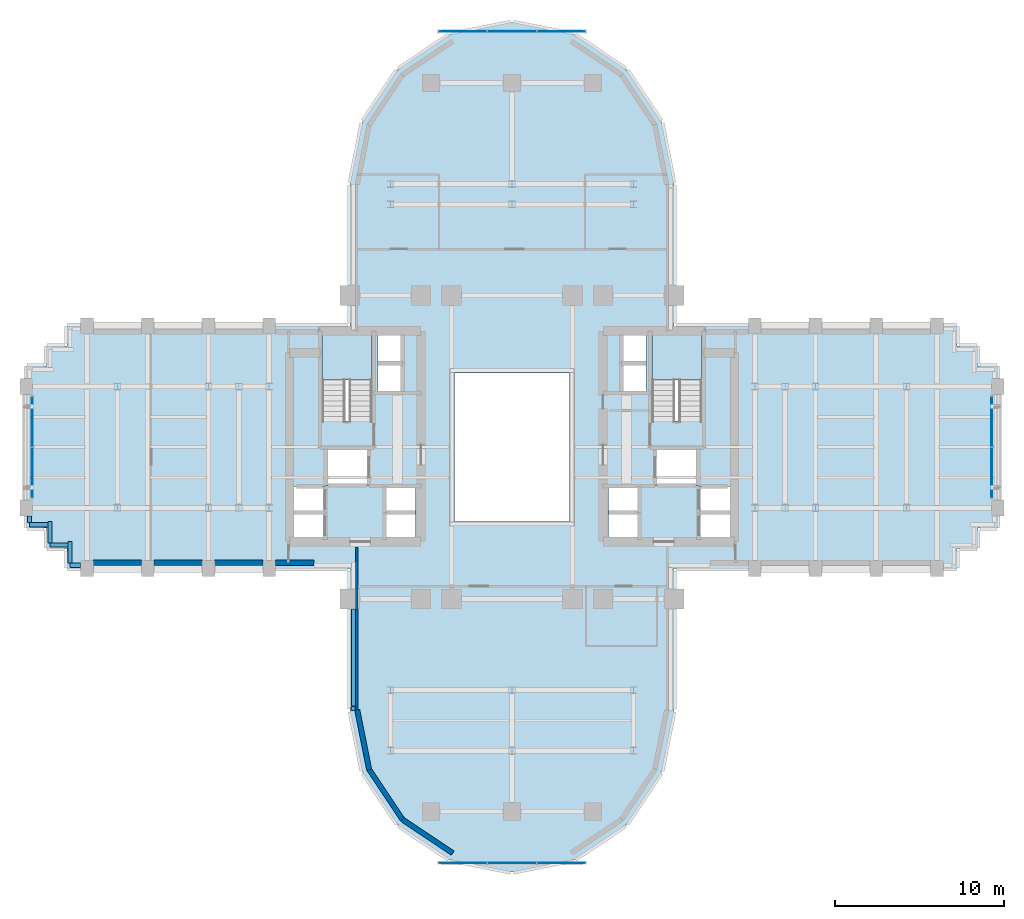
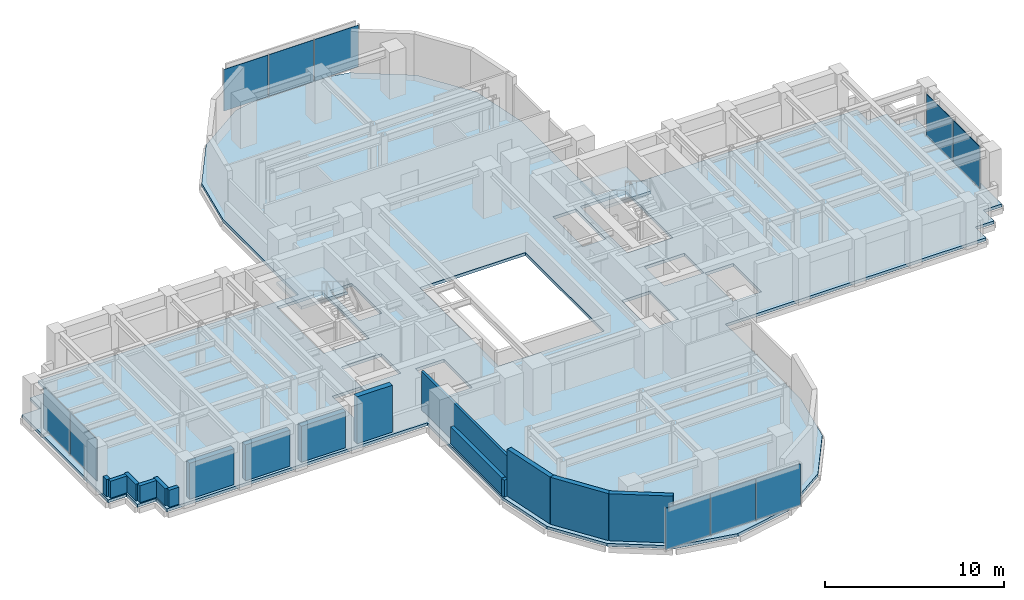
# One storey, part 9 of 16: 16 walls, 10 plates, 3 slabs, 6 elements without a shape of their own.
"""IFC4 building model written with IfcOpenShell, lengths in metres."""

from ifc_helpers import new_model, si_unit, direction, frame, frame_2d, origin, origin_2d, place, context, subcontext, project, spatial, polyline, rectangle, outline, extrude, source, transform, mapped, material, layer, layer_set, type_object, element, aggregate, save


model = new_model("IFC4")

# Units and contexts
model_context = context("Model", 3, precision=1e-05, world=origin(), true_north=direction((0.0, 1.0)))
body_context = subcontext(model_context, "Body", "Model", "MODEL_VIEW")
ifc_project = project(units=[si_unit("LENGTHUNIT", "METRE"), si_unit("AREAUNIT", "SQUARE_METRE"), si_unit("VOLUMEUNIT", "CUBIC_METRE"), si_unit("PLANEANGLEUNIT", "RADIAN"), si_unit("MASSUNIT", "GRAM", prefix="KILO")], contexts=[model_context])

# Site, building, storey
site_placement = place(None, origin())
site = spatial("IfcSite", under=ifc_project, at=site_placement, CompositionType="ELEMENT")
building_placement = place(site_placement, origin())
building = spatial("IfcBuilding", under=site, at=building_placement, Name="Keilestroom Media Tower", CompositionType="ELEMENT")
storey_placement = place(building_placement, frame((0.0, 0.0, 64.60009765625)))
storey = spatial("IfcBuildingStorey", under=building, at=storey_placement, Name="L16", CompositionType="ELEMENT", Elevation=64.60009765625)

# Slab
ifc_material_1 = material(Name="Concrete C50/60", Category="concrete")
ifc_layer_1 = layer(ifc_material_1, 0.199951171875)
ifc_layer_set_1 = layer_set([ifc_layer_1], Name="Concrete C50/60")
slab_type_1 = type_object("IfcSlabType", Name="Composite-Floor-Slab-200", PredefinedType="FLOOR", material=ifc_layer_set_1)
slab_1_placement = place(storey_placement, frame((0.0, 0.0, -0.2001953125)))
element("IfcSlab", 1, at=slab_1_placement, inside=storey, type_object=slab_type_1, Name="L16 Structural Composite Floor Slab", PredefinedType="FLOOR", context=body_context, shape_type="SweptSolid", body=[
    extrude(outline(polyline([(28.800048828125, -4.800048828125), (28.800048828125, 4.800048828125), (27.60009765625, 4.800048828125), (27.60009765625, 6.0), (26.39990234375, 6.0), (26.39990234375, 7.199951171875), (9.60009765625, 7.199951171875), (9.60009765625, 9.60009765625), (9.60009765625, 15.60009765625), (8.869140625, 19.273681640625), (6.7880859375, 22.38818359375), (3.673828125, 24.46923828125), (0.0, 25.199951171875), (-3.673828125, 24.46923828125), (-6.7880859375, 22.38818359375), (-8.869140625, 19.273681640625), (-9.60009765625, 15.60009765625), (-9.60009765625, 9.60009765625), (-9.60009765625, 7.199951171875), (-26.39990234375, 7.199951171875), (-26.39990234375, 6.0), (-27.60009765625, 6.0), (-27.60009765625, 4.800048828125), (-28.800048828125, 4.800048828125), (-28.800048828125, -4.800048828125), (-27.60009765625, -4.800048828125), (-27.60009765625, -6.0), (-26.39990234375, -6.0), (-26.39990234375, -7.199951171875), (-9.60009765625, -7.199951171875), (-9.60009765625, -9.60009765625), (-9.60009765625, -15.60009765625), (-8.869140625, -19.273681640625), (-6.7880859375, -22.38818359375), (-3.673828125, -24.46923828125), (0.0, -25.199951171875), (3.673828125, -24.46923828125), (6.7880859375, -22.38818359375), (8.869140625, -19.273681640625), (9.60009765625, -15.60009765625), (9.60009765625, -9.60009765625), (9.60009765625, -7.199951171875), (26.39990234375, -7.199951171875), (26.39990234375, -6.0), (27.60009765625, -6.0), (27.60009765625, -4.800048828125), (28.800048828125, -4.800048828125)]), holes=[polyline([(-12.919921875, -5.47998046875), (-12.919921875, -2.320068359375), (-11.080078125, -2.320068359375), (-11.080078125, -5.47998046875), (-12.919921875, -5.47998046875)]), polyline([(-11.260009765625, 1.544921875), (-11.260009765625, 6.760009765625), (-8.300048828125, 6.760009765625), (-8.300048828125, 1.544921875), (-11.260009765625, 1.544921875)]), polyline([(-11.050048828125, -2.280029296875), (-11.050048828125, -0.10009765625), (-8.47998046875, -0.10009765625), (-8.47998046875, -2.280029296875), (-11.050048828125, -2.280029296875)]), polyline([(-7.949951171875, 3.300048828125), (-7.949951171875, 6.64990234375), (-6.47998046875, 6.64990234375), (-6.47998046875, 3.300048828125), (-7.949951171875, 3.300048828125)]), polyline([(-7.56005859375, -5.47998046875), (-7.56005859375, -2.320068359375), (-5.719970703125, -2.320068359375), (-5.719970703125, -5.47998046875), (-7.56005859375, -5.47998046875)]), polyline([(-3.39990234375, -4.39990234375), (-3.39990234375, 4.39990234375), (3.39990234375, 4.39990234375), (3.39990234375, -4.39990234375), (-3.39990234375, -4.39990234375)]), polyline([(5.719970703125, -5.47998046875), (5.719970703125, -2.320068359375), (7.56005859375, -2.320068359375), (7.56005859375, -5.47998046875), (5.719970703125, -5.47998046875)]), polyline([(7.949951171875, 6.64990234375), (7.949951171875, 3.300048828125), (6.47998046875, 3.300048828125), (6.47998046875, 6.64990234375), (7.949951171875, 6.64990234375)]), polyline([(8.300048828125, 6.760009765625), (11.260009765625, 6.760009765625), (11.260009765625, 1.544921875), (8.300048828125, 1.544921875), (8.300048828125, 6.760009765625)]), polyline([(8.47998046875, -2.280029296875), (8.47998046875, -0.10009765625), (11.050048828125, -0.10009765625), (11.050048828125, -2.280029296875), (8.47998046875, -2.280029296875)]), polyline([(12.919921875, -5.47998046875), (11.080078125, -5.47998046875), (11.080078125, -2.320068359375), (12.919921875, -2.320068359375), (12.919921875, -5.47998046875)])]), origin(), (0.0, 0.0, 1.0), 0.2001953125),
])

# Stair, slab
ifc_material_2 = material(Name="Concrete C45/55", Category="concrete")
stair_type = type_object("IfcStairType", Name="Enclosed-Dog-Leg-Stair-ST-CORE", PredefinedType="HALF_TURN_STAIR", material=ifc_material_2)
stair_1_placement = place(storey_placement, origin())
stair_1 = element("IfcStair", 2, at=stair_1_placement, inside=storey, type_object=stair_type, Name="L16 West Core Escape Stair ST-1", PredefinedType="HALF_TURN_STAIR")
ifc_layer_2 = layer(ifc_material_2, 0.199951171875)
ifc_layer_set_2 = layer_set([ifc_layer_2], Name="Concrete C45/55")
slab_type_2 = type_object("IfcSlabType", Name="Stair-Intermediate-And-Top-Landing-Slab-200", PredefinedType="LANDING", material=ifc_layer_set_2)
slab_2_placement = place(storey_placement, frame((0.0, 0.0, 1.5)))
slab_2 = element("IfcSlab", 3, at=slab_2_placement, type_object=slab_type_2, Name="ST-1 landing 1", PredefinedType="LANDING", context=body_context, shape_type="SweptSolid", body=[
    extrude(outline(polyline([(-8.300048828125, 3.99609375), (-8.300048828125, 6.760009765625), (-11.260009765625, 6.760009765625), (-11.260009765625, 3.99609375), (-8.300048828125, 3.99609375)])), origin(), (0.0, 0.0, 1.0), 0.199951171875),
])
aggregate(stair_1, [slab_2])

stair_2_placement = place(storey_placement, origin())
stair_2 = element("IfcStair", 4, at=stair_2_placement, inside=storey, type_object=stair_type, Name="L16 East Core Escape Stair ST-2", PredefinedType="HALF_TURN_STAIR")
slab_3_placement = place(storey_placement, frame((0.0, 0.0, 1.5)))
slab_3 = element("IfcSlab", 5, at=slab_3_placement, type_object=slab_type_2, Name="ST-2 landing 1", PredefinedType="LANDING", context=body_context, shape_type="SweptSolid", body=[
    extrude(outline(polyline([(11.260009765625, 3.99609375), (11.260009765625, 6.760009765625), (8.300048828125, 6.760009765625), (8.300048828125, 3.99609375), (11.260009765625, 3.99609375)])), origin(), (0.0, 0.0, 1.0), 0.199951171875),
])
aggregate(stair_2, [slab_3])

# Curtain wall, plates
ifc_material_3 = material(Name="Anodised Aluminium Alloy", Category="aluminium")
curtain_wall_type_1 = type_object("IfcCurtainWallType", Name="Unitised-Curtain-Wall-CW-1", PredefinedType="NOTDEFINED", material=ifc_material_3)
curtain_wall_1_placement = place(storey_placement, origin())
curtain_wall_1 = element("IfcCurtainWall", 6, at=curtain_wall_1_placement, inside=storey, type_object=curtain_wall_type_1, Name="L16 Curtain Wall CW-1 CW-L16-W-1", PredefinedType="NOTDEFINED")
ifc_material_4 = material(Name="Double Glazed Low-E Unit", Category="glass")
ifc_layer_3 = layer(ifc_material_4, 0.0439453125)
ifc_layer_set_3 = layer_set([ifc_layer_3], Name="Double Glazed Low-E Unit")
plate_type_1 = type_object("IfcPlateType", Name="Insulated-Curtain-Wall-Glazing-Panel-CW-1", PredefinedType="CURTAIN_PANEL", material=ifc_layer_set_3)
shared_shape_1 = source(origin(), body_context, "Body", "SweptSolid", [
    extrude(rectangle(XDim=2.968017578125, YDim=0.0439453125, at=origin_2d()), origin(), (0.0, 0.0, 1.0), 2.833984375),
])
plate_1_placement = place(storey_placement, frame((-28.449951171875, -1.514892578125, 0.072998046875), z_axis=(0.0, 0.0, 1.0), x_axis=(0.0, 1.0, 0.0)))
plate_1 = element("IfcPlate", 7, at=plate_1_placement, type_object=plate_type_1, Name="CW-1 Unitised Glazing 00", PredefinedType="CURTAIN_PANEL", context=body_context, shape_type="MappedRepresentation", body=[
    mapped(shared_shape_1, transform((0.0, 0.0, 0.0), x_axis=(1.0, 0.0, 0.0), y_axis=(0.0, 1.0, 0.0), z_axis=(0.0, 0.0, 1.0), scale=1.0)),
])
plate_2_placement = place(storey_placement, frame((-28.449951171875, 1.514892578125, 0.072998046875), z_axis=(0.0, 0.0, 1.0), x_axis=(0.0, 1.0, 0.0)))
plate_2 = element("IfcPlate", 8, at=plate_2_placement, type_object=plate_type_1, Name="CW-1 Unitised Glazing 01", PredefinedType="CURTAIN_PANEL", context=body_context, shape_type="MappedRepresentation", body=[
    mapped(shared_shape_1, transform((0.0, 0.0, 0.0), x_axis=(1.0, 0.0, 0.0), y_axis=(0.0, 1.0, 0.0), z_axis=(0.0, 0.0, 1.0), scale=1.0)),
])
aggregate(curtain_wall_1, [plate_1, plate_2])

curtain_wall_2_placement = place(storey_placement, origin())
curtain_wall_2 = element("IfcCurtainWall", 9, at=curtain_wall_2_placement, inside=storey, type_object=curtain_wall_type_1, Name="L16 Curtain Wall CW-1 CW-L16-E-1", PredefinedType="NOTDEFINED")
plate_3_placement = place(storey_placement, frame((28.449951171875, -1.514892578125, 0.072998046875), z_axis=(0.0, 0.0, 1.0), x_axis=(0.0, 1.0, 0.0)))
plate_3 = element("IfcPlate", 10, at=plate_3_placement, type_object=plate_type_1, Name="CW-1 Unitised Glazing 00", PredefinedType="CURTAIN_PANEL", context=body_context, shape_type="MappedRepresentation", body=[
    mapped(shared_shape_1, transform((0.0, 0.0, 0.0), x_axis=(1.0, 0.0, 0.0), y_axis=(0.0, 1.0, 0.0), z_axis=(0.0, 0.0, 1.0), scale=1.0)),
])
plate_4_placement = place(storey_placement, frame((28.449951171875, 1.514892578125, 0.072998046875), z_axis=(0.0, 0.0, 1.0), x_axis=(0.0, 1.0, 0.0)))
plate_4 = element("IfcPlate", 11, at=plate_4_placement, type_object=plate_type_1, Name="CW-1 Unitised Glazing 01", PredefinedType="CURTAIN_PANEL", context=body_context, shape_type="MappedRepresentation", body=[
    mapped(shared_shape_1, transform((0.0, 0.0, 0.0), x_axis=(1.0, 0.0, 0.0), y_axis=(0.0, 1.0, 0.0), z_axis=(0.0, 0.0, 1.0), scale=1.0)),
])
aggregate(curtain_wall_2, [plate_3, plate_4])

curtain_wall_type_2 = type_object("IfcCurtainWallType", Name="Unitised-Curtain-Wall-CW-6", PredefinedType="NOTDEFINED", material=ifc_material_3)
curtain_wall_3_placement = place(storey_placement, origin())
curtain_wall_3 = element("IfcCurtainWall", 12, at=curtain_wall_3_placement, inside=storey, type_object=curtain_wall_type_2, Name="L16 Curtain Wall CW-6 CW-L16-LN-1", PredefinedType="NOTDEFINED")
ifc_material_5 = material(Name="Curved-Facet Triple Glazed Unit", Category="glass")
ifc_layer_4 = layer(ifc_material_5, 0.033935546875)
ifc_layer_set_4 = layer_set([ifc_layer_4], Name="Curved-Facet Triple Glazed Unit")
plate_type_2 = type_object("IfcPlateType", Name="Insulated-Curtain-Wall-Glazing-Panel-CW-6", PredefinedType="CURTAIN_PANEL", material=ifc_layer_set_4)
shared_shape_2 = source(origin(), body_context, "Body", "SweptSolid", [
    extrude(rectangle(XDim=2.84375, YDim=0.033935546875, at=origin_2d()), origin(), (0.0, 0.0, 1.0), 2.833984375),
])
plate_5_placement = place(storey_placement, frame((-2.9169921875, 24.64990234375, 0.072998046875), z_axis=(0.0, 0.0, 1.0), x_axis=(1.0, 0.0, 0.0)))
plate_5 = element("IfcPlate", 13, at=plate_5_placement, type_object=plate_type_2, Name="CW-6 Unitised Glazing 00", PredefinedType="CURTAIN_PANEL", context=body_context, shape_type="MappedRepresentation", body=[
    mapped(shared_shape_2, transform((0.0, 0.0, 0.0), x_axis=(1.0, 0.0, 0.0), y_axis=(0.0, 1.0, 0.0), z_axis=(0.0, 0.0, 1.0), scale=1.0)),
])
plate_6_placement = place(storey_placement, frame((2.9169921875, 24.64990234375, 0.072998046875), z_axis=(0.0, 0.0, 1.0), x_axis=(1.0, 0.0, 0.0)))
plate_6 = element("IfcPlate", 14, at=plate_6_placement, type_object=plate_type_2, Name="CW-6 Unitised Glazing 02", PredefinedType="CURTAIN_PANEL", context=body_context, shape_type="MappedRepresentation", body=[
    mapped(shared_shape_2, transform((0.0, 0.0, 0.0), x_axis=(1.0, 0.0, 0.0), y_axis=(0.0, 1.0, 0.0), z_axis=(0.0, 0.0, 1.0), scale=1.0)),
])

curtain_wall_4_placement = place(storey_placement, origin())
curtain_wall_4 = element("IfcCurtainWall", 15, at=curtain_wall_4_placement, inside=storey, type_object=curtain_wall_type_2, Name="L16 Curtain Wall CW-6 CW-L16-LS-1", PredefinedType="NOTDEFINED")
plate_7_placement = place(storey_placement, frame((-2.9169921875, -24.64990234375, 0.072998046875), z_axis=(0.0, 0.0, 1.0), x_axis=(1.0, 0.0, 0.0)))
plate_7 = element("IfcPlate", 16, at=plate_7_placement, type_object=plate_type_2, Name="CW-6 Unitised Glazing 00", PredefinedType="CURTAIN_PANEL", context=body_context, shape_type="MappedRepresentation", body=[
    mapped(shared_shape_2, transform((0.0, 0.0, 0.0), x_axis=(1.0, 0.0, 0.0), y_axis=(0.0, 1.0, 0.0), z_axis=(0.0, 0.0, 1.0), scale=1.0)),
])
plate_8_placement = place(storey_placement, frame((2.9169921875, -24.64990234375, 0.072998046875), z_axis=(0.0, 0.0, 1.0), x_axis=(1.0, 0.0, 0.0)))
plate_8 = element("IfcPlate", 17, at=plate_8_placement, type_object=plate_type_2, Name="CW-6 Unitised Glazing 02", PredefinedType="CURTAIN_PANEL", context=body_context, shape_type="MappedRepresentation", body=[
    mapped(shared_shape_2, transform((0.0, 0.0, 0.0), x_axis=(1.0, 0.0, 0.0), y_axis=(0.0, 1.0, 0.0), z_axis=(0.0, 0.0, 1.0), scale=1.0)),
])

# Plate
shared_shape_3 = source(origin(), body_context, "Body", "SweptSolid", [
    extrude(rectangle(XDim=2.876220703125, YDim=0.033935546875, at=origin_2d()), origin(), (0.0, 0.0, 1.0), 2.833984375),
])
plate_9_placement = place(storey_placement, frame((0.0, 24.64990234375, 0.072998046875), z_axis=(0.0, 0.0, 1.0), x_axis=(1.0, 0.0, 0.0)))
plate_9 = element("IfcPlate", 18, at=plate_9_placement, type_object=plate_type_2, Name="CW-6 Unitised Glazing 01", PredefinedType="CURTAIN_PANEL", context=body_context, shape_type="MappedRepresentation", body=[
    mapped(shared_shape_3, transform((0.0, 0.0, 0.0), x_axis=(1.0, 0.0, 0.0), y_axis=(0.0, 1.0, 0.0), z_axis=(0.0, 0.0, 1.0), scale=1.0)),
])

aggregate(curtain_wall_3, [plate_5, plate_9, plate_6])

plate_10_placement = place(storey_placement, frame((0.0, -24.64990234375, 0.072998046875), z_axis=(0.0, 0.0, 1.0), x_axis=(1.0, 0.0, 0.0)))
plate_10 = element("IfcPlate", 19, at=plate_10_placement, type_object=plate_type_2, Name="CW-6 Unitised Glazing 01", PredefinedType="CURTAIN_PANEL", context=body_context, shape_type="MappedRepresentation", body=[
    mapped(shared_shape_3, transform((0.0, 0.0, 0.0), x_axis=(1.0, 0.0, 0.0), y_axis=(0.0, 1.0, 0.0), z_axis=(0.0, 0.0, 1.0), scale=1.0)),
])

aggregate(curtain_wall_4, [plate_7, plate_10, plate_8])

# Walls
ifc_material_6 = material(Name="Precast concrete C40/50", Category="concrete")
ifc_layer_5 = layer(ifc_material_6, 0.300048828125)
ifc_layer_set_5 = layer_set([ifc_layer_5], Name="Precast concrete C40/50")
wall_type_1 = type_object("IfcWallType", Name="Exterior-Masonry-Spandrel-Wall-300", PredefinedType="SOLIDWALL", material=ifc_layer_set_5)
for number, where, z_axis, x_axis, name in (
    (20, (-9.1748046875, -15.585205078125, 0.0), (0.0, 0.0, 1.0), (0.195114232679, -0.980780523974, 0.0), "L16 Lobe Facet Precast Frame Wall 07"),
    (21, (-8.48193359375, -19.097412109375, 0.0), (0.0, 0.0, 1.0), (0.555574187116, -0.831466970246, 0.0), "L16 Lobe Facet Precast Frame Wall 08"),
):
    element("IfcWall", number, at=place(storey_placement, frame(where, z_axis=z_axis, x_axis=x_axis)), inside=storey, type_object=wall_type_1, Name=name, PredefinedType="SOLIDWALL", context=body_context, shape_type="SweptSolid", body=[
        extrude(rectangle(XDim=3.608642578125, YDim=0.300048828125, at=frame_2d((1.80419921875, 0.0))), origin(), (0.0, 0.0, 1.0), 3.199951171875),
    ])
wall_1_placement = place(storey_placement, frame((-6.497802734375, -22.0771484375, 0.0), z_axis=(0.0, 0.0, 1.0), x_axis=(0.8314749531, -0.555562239868, 0.0)))
element("IfcWall", 22, at=wall_1_placement, inside=storey, type_object=wall_type_1, Name="L16 Lobe Facet Precast Frame Wall 09", PredefinedType="SOLIDWALL", context=body_context, shape_type="SweptSolid", body=[
    extrude(rectangle(XDim=3.59326171875, YDim=0.300048828125, at=frame_2d((1.796630859375, 0.0))), origin(), (0.0, 0.0, 1.0), 3.199951171875),
])
ifc_layer_6 = layer(ifc_material_6, 0.340087890625)
ifc_layer_set_6 = layer_set([ifc_layer_6], Name="Precast concrete C40/50")
wall_type_2 = type_object("IfcWallType", Name="Exterior-Masonry-Spandrel-Wall-340", PredefinedType="SOLIDWALL", material=ifc_layer_set_6)
for number, where, z_axis, x_axis, name in (
    (23, (-24.8330078125, -6.85009765625, 0.0), (0.0, 0.0, 1.0), (1.0, 0.0, 0.0), "L16 Flank Masonry Wall EWL-L16-SW-1"),
    (24, (-21.23291015625, -6.85009765625, 0.0), (0.0, 0.0, 1.0), (1.0, 0.0, 0.0), "L16 Flank Masonry Wall EWL-L16-SW-2"),
    (25, (-17.633056640625, -6.85009765625, 0.0), (0.0, 0.0, 1.0), (1.0, 0.0, 0.0), "L16 Flank Masonry Wall EWL-L16-SW-3"),
):
    element("IfcWall", number, at=place(storey_placement, frame(where, z_axis=z_axis, x_axis=x_axis)), inside=storey, type_object=wall_type_2, Name=name, PredefinedType="SOLIDWALL", context=body_context, shape_type="SweptSolid", body=[
        extrude(rectangle(XDim=2.865966796875, YDim=0.340087890625, at=frame_2d((1.43310546875, 0.0))), origin(), (0.0, 0.0, 1.0), 2.449951171875),
    ])
wall_2_placement = place(storey_placement, frame((-14.032958984375, -6.85009765625, 0.0), z_axis=(0.0, 0.0, 1.0), x_axis=(1.0, 0.0, 0.0)))
element("IfcWall", 26, at=wall_2_placement, inside=storey, type_object=wall_type_2, Name="L16 Flank Masonry Wall EWL-L16-SW-4", PredefinedType="SOLIDWALL", context=body_context, shape_type="SweptSolid", body=[
    extrude(rectangle(XDim=2.282958984375, YDim=0.340087890625, at=frame_2d((1.1416015625, 0.0))), origin(), (0.0, 0.0, 1.0), 3.199951171875),
])
ifc_material_7 = material(Name="Gypsum Plasterboard & Steel Stud", Category="steel")
ifc_layer_7 = layer(ifc_material_7, 0.14990234375)
ifc_layer_set_7 = layer_set([ifc_layer_7], Name="Gypsum Plasterboard & Steel Stud")
wall_type_3 = type_object("IfcWallType", Name="Interior-Partition-Wall-150", PredefinedType="PARTITIONING", material=ifc_layer_set_7)
wall_3_placement = place(storey_placement, frame((-9.199951171875, -15.679931640625, 0.0), z_axis=(0.0, 0.0, 1.0), x_axis=(0.0, 1.0, 0.0)))
element("IfcWall", 27, at=wall_3_placement, inside=storey, type_object=wall_type_3, Name="L16 Interior Wall WP-L16-SL-CHKW", PredefinedType="PARTITIONING", context=body_context, shape_type="SweptSolid", body=[
    extrude(rectangle(XDim=9.739990234375, YDim=0.14990234375, at=frame_2d((4.8701171875, 0.0))), origin(), (0.0, 0.0, 1.0), 2.64990234375),
])
ifc_layer_8 = layer(ifc_material_6, 0.239990234375)
ifc_layer_set_8 = layer_set([ifc_layer_8], Name="Precast concrete C40/50")
wall_type_4 = type_object("IfcWallType", Name="Roof-And-Terrace-Parapet-Wall-240", PredefinedType="PARAPET", material=ifc_layer_set_8)
wall_4_placement = place(storey_placement, frame((-9.395263671875, -15.604248046875, 0.0), z_axis=(0.0, 0.0, 1.0), x_axis=(-0.194652052864, 0.980872355771, 0.0)))
element("IfcWall", 28, at=wall_4_placement, inside=storey, type_object=wall_type_4, Name="L16 Perimeter Edge Parapet Wall 09", PredefinedType="PARAPET", context=body_context, shape_type="SweptSolid", body=[
    extrude(rectangle(XDim=0.224609375, YDim=0.239990234375, at=frame_2d((0.1123046875, 0.0))), origin(), (0.0, 0.0, 1.0), 1.14990234375),
])
wall_5_placement = place(storey_placement, frame((-9.39990234375, -15.357666015625, 0.0), z_axis=(0.0, 0.0, 1.0), x_axis=(0.0, 1.0, 0.0)))
element("IfcWall", 29, at=wall_5_placement, inside=storey, type_object=wall_type_4, Name="L16 Perimeter Edge Parapet Wall 10", PredefinedType="PARAPET", context=body_context, shape_type="SweptSolid", body=[
    extrude(rectangle(XDim=5.754638671875, YDim=0.239990234375, at=frame_2d((2.87744140625, 0.0))), origin(), (0.0, 0.0, 1.0), 1.14990234375),
])
wall_6_placement = place(storey_placement, frame((-25.577880859375, -7.0, 0.0), z_axis=(0.0, 0.0, 1.0), x_axis=(-1.0, 0.0, 0.0)))
element("IfcWall", 30, at=wall_6_placement, inside=storey, type_object=wall_type_4, Name="L16 Perimeter Edge Parapet Wall 13", PredefinedType="PARAPET", context=body_context, shape_type="SweptSolid", body=[
    extrude(rectangle(XDim=0.6220703125, YDim=0.239990234375, at=frame_2d((0.31103515625, 0.0))), origin(), (0.0, 0.0, 1.0), 1.14990234375),
])
wall_7_placement = place(storey_placement, frame((-26.199951171875, -6.876953125, 0.0), z_axis=(0.0, 0.0, 1.0), x_axis=(0.0, 1.0, 0.0)))
element("IfcWall", 31, at=wall_7_placement, inside=storey, type_object=wall_type_4, Name="L16 Perimeter Edge Parapet Wall 14", PredefinedType="PARAPET", context=body_context, shape_type="SweptSolid", body=[
    extrude(rectangle(XDim=1.27685546875, YDim=0.239990234375, at=frame_2d((0.638427734375, 0.0))), origin(), (0.0, 0.0, 1.0), 1.14990234375),
])
wall_8_placement = place(storey_placement, frame((-26.322998046875, -5.800048828125, 0.0), z_axis=(0.0, 0.0, 1.0), x_axis=(-1.0, 0.0, 0.0)))
element("IfcWall", 32, at=wall_8_placement, inside=storey, type_object=wall_type_4, Name="L16 Perimeter Edge Parapet Wall 15", PredefinedType="PARAPET", context=body_context, shape_type="SweptSolid", body=[
    extrude(rectangle(XDim=1.076904296875, YDim=0.239990234375, at=frame_2d((0.53857421875, 0.0))), origin(), (0.0, 0.0, 1.0), 1.14990234375),
])
wall_9_placement = place(storey_placement, frame((-27.39990234375, -5.677001953125, 0.0), z_axis=(0.0, 0.0, 1.0), x_axis=(0.0, 1.0, 0.0)))
element("IfcWall", 33, at=wall_9_placement, inside=storey, type_object=wall_type_4, Name="L16 Perimeter Edge Parapet Wall 16", PredefinedType="PARAPET", context=body_context, shape_type="SweptSolid", body=[
    extrude(rectangle(XDim=1.277099609375, YDim=0.239990234375, at=frame_2d((0.638671875, 0.0))), origin(), (0.0, 0.0, 1.0), 1.14990234375),
])
wall_10_placement = place(storey_placement, frame((-27.52294921875, -4.60009765625, 0.0), z_axis=(0.0, 0.0, 1.0), x_axis=(-1.0, 0.0, 0.0)))
element("IfcWall", 34, at=wall_10_placement, inside=storey, type_object=wall_type_4, Name="L16 Perimeter Edge Parapet Wall 17", PredefinedType="PARAPET", context=body_context, shape_type="SweptSolid", body=[
    extrude(rectangle(XDim=1.0771484375, YDim=0.239990234375, at=frame_2d((0.53857421875, 0.0))), origin(), (0.0, 0.0, 1.0), 1.14990234375),
])
wall_11_placement = place(storey_placement, frame((-28.60009765625, -4.47705078125, 0.0), z_axis=(0.0, 0.0, 1.0), x_axis=(0.0, 1.0, 0.0)))
element("IfcWall", 35, at=wall_11_placement, inside=storey, type_object=wall_type_4, Name="L16 Perimeter Edge Parapet Wall 18", PredefinedType="PARAPET", context=body_context, shape_type="SweptSolid", body=[
    extrude(rectangle(XDim=0.399169921875, YDim=0.239990234375, at=frame_2d((0.19970703125, 0.0))), origin(), (0.0, 0.0, 1.0), 1.14990234375),
])

save(model, "model.ifc")
